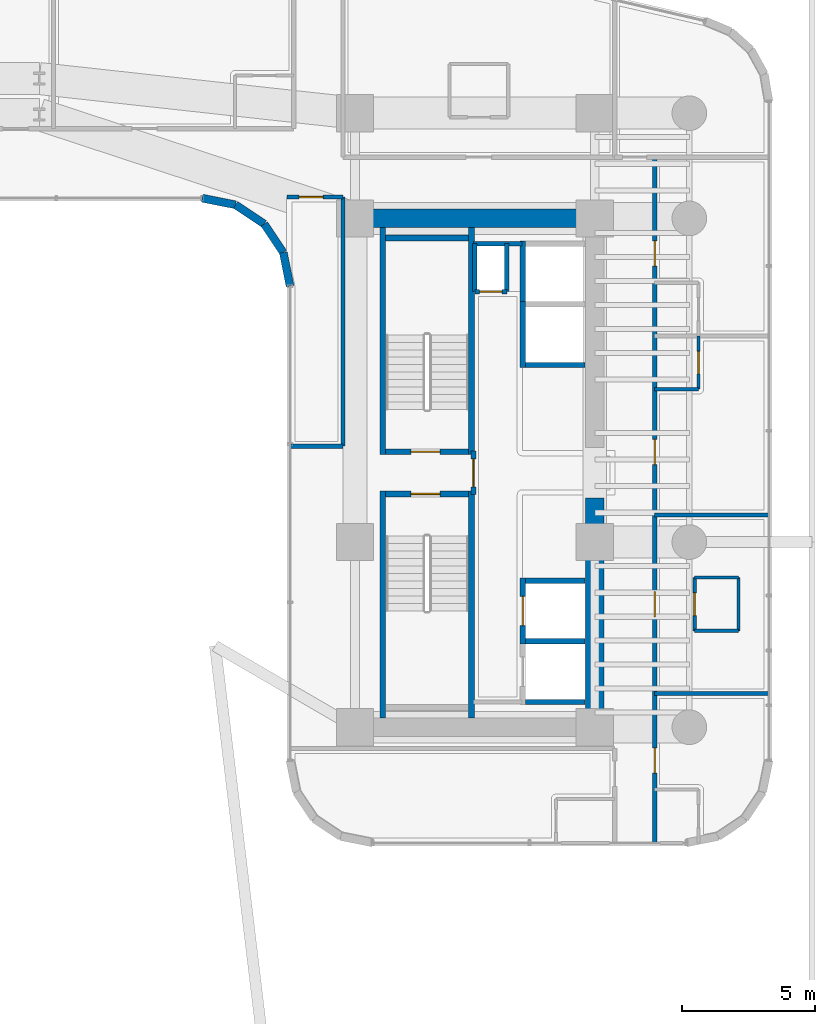
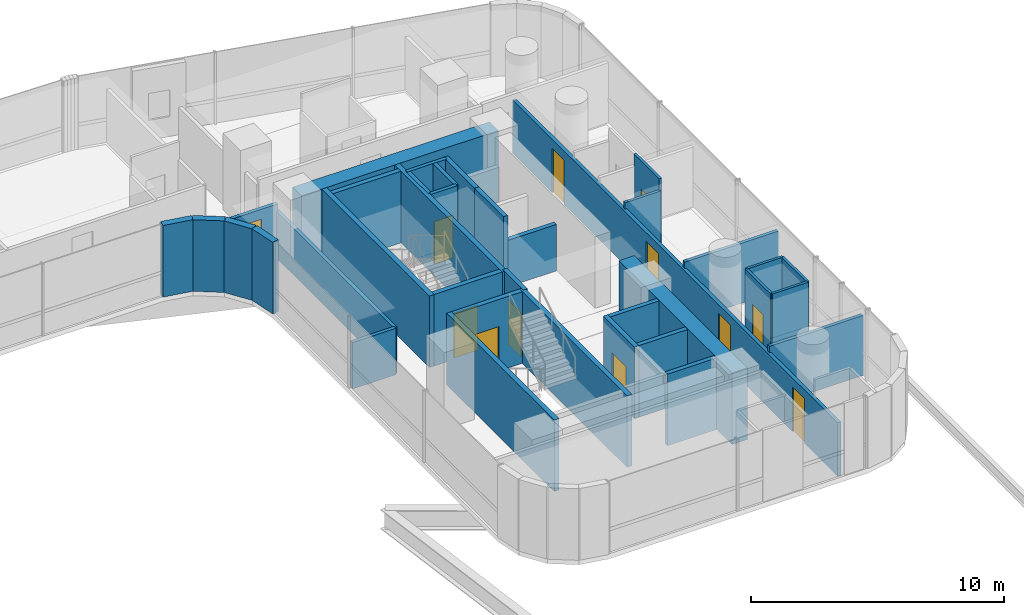
# One storey, part 41 of 50: 37 walls, 12 doors, 12 openings.
"""IFC4 building model written with IfcOpenShell, lengths in metres."""

import ifcopenshell
import ifcopenshell.guid

model = None  # the IFC model being written
_history = None  # IfcOwnerHistory: only IFC2X3 demands one
_inside = {}  # id of a spatial element -> (the spatial element, [elements in it])
_under = {}  # id of a project, library or spatial element -> (it, [spatial elements below it])
_declared = {}  # id of a project -> (the project, [libraries it declares])
_typed = {}  # id of a type object -> (the type object, [elements of that type])
_made_of = {}  # id of a material, layer set ... -> (it, [elements and type objects made of it])


def new_model(schema):
    """Start an empty IFC model of exactly this schema.

    Asked for "IFC4X3", IfcOpenShell would pick the latest addendum, in which some entities
    have other attributes; the version numbers below select the first issue.
    IFC2X3 requires an IfcOwnerHistory on every rooted entity: one is made here for all.
    """
    global model, _history
    if schema == "IFC4X3":
        model = ifcopenshell.file(schema_version=(4, 3, 0, 0))
    else:
        model = ifcopenshell.file(schema=schema)
    _inside.clear()
    _under.clear()
    _declared.clear()
    _typed.clear()
    _made_of.clear()
    _history = None
    if model.schema == "IFC2X3":
        org = make("IfcOrganization", Name="unknown")
        user = make(
            "IfcPersonAndOrganization",
            ThePerson=make("IfcPerson", FamilyName="unknown"),
            TheOrganization=org,
        )
        app = make(
            "IfcApplication",
            ApplicationDeveloper=org,
            Version="unknown",
            ApplicationFullName="unknown",
            ApplicationIdentifier="unknown",
        )
        _history = make(
            "IfcOwnerHistory",
            OwningUser=user,
            OwningApplication=app,
            ChangeAction="ADDED",
            CreationDate=0,
        )
    return model


def make(cls, **values):
    """One entity of the class cls with the attributes given. An attribute that is None is left unset."""
    return model.create_entity(
        cls, **{name: value for name, value in values.items() if value is not None}
    )


def rooted(cls, **values):
    """An entity with a GlobalId (a new one), such as an element, a storey or a relation."""
    return make(cls, GlobalId=ifcopenshell.guid.new(), OwnerHistory=_history, **values)


def si_unit(unit_type, name, prefix=None):
    """IfcSIUnit, for example si_unit("LENGTHUNIT", "METRE", prefix="MILLI")."""
    return make("IfcSIUnit", UnitType=unit_type, Prefix=prefix, Name=name)


def assignment(units):
    """IfcUnitAssignment: the units of a project."""
    return None if units is None else make("IfcUnitAssignment", Units=units)


def point(xyz):
    """IfcCartesianPoint."""
    return None if xyz is None else make("IfcCartesianPoint", Coordinates=xyz)


def direction(xyz):
    """IfcDirection."""
    return None if xyz is None else make("IfcDirection", DirectionRatios=xyz)


def frame(location, z_axis=None, x_axis=None):
    """IfcAxis2Placement3D, a coordinate frame: its origin and axes. An axis left out is left unset."""
    return make(
        "IfcAxis2Placement3D",
        Location=point(location),
        Axis=direction(z_axis),
        RefDirection=direction(x_axis),
    )


def frame_2d(location, x_axis=None):
    """IfcAxis2Placement2D, a coordinate frame in the plane: its origin and x axis."""
    return make(
        "IfcAxis2Placement2D", Location=point(location), RefDirection=direction(x_axis)
    )


def origin():
    """The frame at (0, 0, 0) with its axes left unset."""
    return frame((0.0, 0.0, 0.0))


def place(relative_to, where):
    """IfcLocalPlacement: puts the frame where relative to a parent placement (None: the world)."""
    return make(
        "IfcLocalPlacement", PlacementRelTo=relative_to, RelativePlacement=where
    )


def context(
    kind, dimensions, precision=None, world=None, true_north=None, identifier=None
):
    """IfcGeometricRepresentationContext, for example the 3D "Model" context."""
    return make(
        "IfcGeometricRepresentationContext",
        ContextIdentifier=identifier,
        ContextType=kind,
        CoordinateSpaceDimension=dimensions,
        Precision=precision,
        WorldCoordinateSystem=world,
        TrueNorth=true_north,
    )


def subcontext(parent, identifier, kind, view, scale=None):
    """IfcGeometricRepresentationSubContext, for example "Body" below "Model"."""
    return make(
        "IfcGeometricRepresentationSubContext",
        ContextIdentifier=identifier,
        ContextType=kind,
        ParentContext=parent,
        TargetScale=scale,
        TargetView=view,
    )


def project(units=None, contexts=None):
    """IfcProject with its units and contexts."""
    return rooted(
        "IfcProject",
        Name="project",
        RepresentationContexts=contexts,
        UnitsInContext=assignment(units),
    )


def spatial(cls, under=None, at=None, **own):
    """A site, building, storey or space (cls), placed at a placement, below another one or the project."""
    s = rooted(cls, ObjectPlacement=at, **own)
    if under is not None:
        _under.setdefault(under.id(), (under, []))[1].append(s)
    return s


def profile(cls, at=None, kind="AREA", **sizes):
    """A parametric profile (cls). Its sizes go by their IFC names, for example OverallWidth=200.0."""
    return make(cls, ProfileType=kind, Position=at, **sizes)


def rectangle(**sizes):
    """IfcRectangleProfileDef."""
    return profile("IfcRectangleProfileDef", **sizes)


def extrude(swept, where, along, depth):
    """IfcExtrudedAreaSolid: the profile swept, set in the frame where, extruded along a direction by depth."""
    return make(
        "IfcExtrudedAreaSolid",
        SweptArea=swept,
        Position=where,
        ExtrudedDirection=direction(along),
        Depth=depth,
    )


def shape(context_of_items, identifier, shape_type, items):
    """IfcShapeRepresentation: the items that make up one representation, for example the "Body"."""
    return make(
        "IfcShapeRepresentation",
        ContextOfItems=context_of_items,
        RepresentationIdentifier=identifier,
        RepresentationType=shape_type,
        Items=items,
    )


def material(Name=None, Category=None):
    """IfcMaterial."""
    return make("IfcMaterial", Name=Name, Category=Category)


def layer(
    of_material, thickness, ventilated=None, Name=None, Category=None, Priority=None
):
    """IfcMaterialLayer: one layer of a wall or slab, of a material (None: an air gap)."""
    return make(
        "IfcMaterialLayer",
        Material=of_material,
        LayerThickness=thickness,
        IsVentilated=ventilated,
        Name=Name,
        Category=Category,
        Priority=Priority,
    )


def layer_set(layers, Name=None):
    """IfcMaterialLayerSet."""
    return make("IfcMaterialLayerSet", MaterialLayers=layers, LayerSetName=Name)


def made_of(thing, what):
    """Note that an element or type object is made of a material, layer set ...; save() writes the relation."""
    if what is not None:
        _made_of.setdefault(what.id(), (what, []))[1].append(thing)
    return thing


def type_object(cls, material=None, **own):
    """A type object (cls), such as IfcWallType, which elements share."""
    return made_of(rooted(cls, **own), material)


def element(
    cls,
    number,
    at=None,
    inside=None,
    cuts=None,
    type_object=None,
    material=None,
    context=None,
    identifier="Body",
    shape_type=None,
    held_by="IfcProductDefinitionShape",
    body=None,
    shapes=None,
    **own,
):
    """One element of the class cls, such as IfcWall. Its Tag is "e" and its number.

    at: its placement. inside: the storey or other place that contains it. cuts: it is an
    opening in that element (IfcRelVoidsElement). A single representation is given by context,
    identifier, shape_type and body (its items); several are given by shapes. held_by: the class
    of the entity that holds the representations. save() writes the other relations.
    """
    e = rooted(cls, Tag="e%d" % number, ObjectPlacement=at, **own)
    if body is not None:
        shapes = [shape(context, identifier, shape_type, body)]
    if shapes is not None:
        e.Representation = make(held_by, Representations=shapes)
    if inside is not None:
        _inside.setdefault(inside.id(), (inside, []))[1].append(e)
    if cuts is not None:
        rooted(
            "IfcRelVoidsElement", RelatingBuildingElement=cuts, RelatedOpeningElement=e
        )
    if type_object is not None:
        _typed.setdefault(type_object.id(), (type_object, []))[1].append(e)
    return made_of(e, material)


def fill(opening, filler):
    """IfcRelFillsElement: the door or window that sits in an opening."""
    return rooted(
        "IfcRelFillsElement",
        RelatingOpeningElement=opening,
        RelatedBuildingElement=filler,
    )


def aggregate(whole, parts):
    """IfcRelAggregates: a whole, such as a stair, and the parts it consists of."""
    return rooted("IfcRelAggregates", RelatingObject=whole, RelatedObjects=parts)


def save(model, path):
    """Write the relations noted so far, then the file.

    IfcRelAggregates (storeys below a building ...), IfcRelContainedInSpatialStructure (elements
    in a storey), IfcRelDefinesByType, IfcRelAssociatesMaterial and IfcRelDeclares: one each for
    every whole, place, type object, material and project.
    """
    for whole, parts in _under.values():
        aggregate(whole, parts)
    for where, things in _inside.values():
        rooted(
            "IfcRelContainedInSpatialStructure",
            RelatedElements=things,
            RelatingStructure=where,
        )
    for kind, things in _typed.values():
        rooted("IfcRelDefinesByType", RelatedObjects=things, RelatingType=kind)
    for what, things in _made_of.values():
        rooted("IfcRelAssociatesMaterial", RelatedObjects=things, RelatingMaterial=what)
    for by, libraries in _declared.values():
        rooted("IfcRelDeclares", RelatingContext=by, RelatedDefinitions=libraries)
    model.write(path)


model = new_model("IFC4")

# Units and contexts
model_context = context("Model", 3, precision=1e-05, world=origin(), true_north=direction((0.0, 1.0)))
body_context = subcontext(model_context, "Body", "Model", "MODEL_VIEW")
ifc_project = project(units=[si_unit("LENGTHUNIT", "METRE"), si_unit("AREAUNIT", "SQUARE_METRE"), si_unit("VOLUMEUNIT", "CUBIC_METRE"), si_unit("PLANEANGLEUNIT", "RADIAN"), si_unit("MASSUNIT", "GRAM", prefix="KILO")], contexts=[model_context])

# Site, building, storey
site_placement = place(None, origin())
site = spatial("IfcSite", under=ifc_project, at=site_placement, CompositionType="ELEMENT")
building_placement = place(site_placement, origin())
building = spatial("IfcBuilding", under=site, at=building_placement, Name="Valdorenza Pilgrim Sanctuary Tower", CompositionType="ELEMENT")
storey_placement = place(building_placement, frame((0.0, 0.0, 26.0)))
storey = spatial("IfcBuildingStorey", under=building, at=storey_placement, Name="L05", CompositionType="ELEMENT", Elevation=26.0)

# Wall, opening, door
ifc_material_1 = material(Name="Acoustic twin-stud gypsum partition", Category="gypsum")
ifc_layer_1 = layer(ifc_material_1, 0.159912109375, Name="Acoustic twin-stud gypsum partition")
ifc_layer_set_1 = layer_set([ifc_layer_1], Name="Acoustic twin-stud gypsum partition")
wall_type_1 = type_object("IfcWallType", Name="WAL-COR-160", PredefinedType="PARTITIONING", material=ifc_layer_set_1)
wall_1_placement = place(storey_placement, frame((20.35009765625, 6.800048828125, 0.0), z_axis=(0.0, 0.0, 1.0), x_axis=(1.0, 0.0, 0.0)))
wall_1 = element("IfcWall", 1, at=wall_1_placement, inside=storey, type_object=wall_type_1, Name="L05 Core B Riser South Wall", PredefinedType="PARTITIONING", context=body_context, shape_type="SweptSolid", body=[
    extrude(rectangle(XDim=1.199951171875, YDim=0.159912109375, at=frame_2d((0.60009765625, 0.0))), origin(), (0.0, 0.0, 1.0), 3.4599609375),
])
opening_1_placement = place(wall_1_placement, frame((0.175048828125, 0.0, 0.0)))
opening_1 = element("IfcOpeningElement", 2, at=opening_1_placement, cuts=wall_1, Name="Opening DR-RS1", PredefinedType="OPENING", context=body_context, shape_type="SweptSolid", body=[
    extrude(rectangle(XDim=0.85009765625, YDim=2.050048828125, at=frame_2d((0.425048828125, 1.02490234375))), frame((0.0, 0.0947265625, 0.0), z_axis=(0.0, -1.0, 0.0), x_axis=(1.0, 0.0, 0.0)), (0.0, 0.0, 1.0), 0.189697265625),
])
ifc_material_2 = material(Name="Painted galvanized steel", Category="steel")
door_type_1 = type_object("IfcDoorType", Name="DR-RSR-850", OperationType="NOTDEFINED", PredefinedType="DOOR", material=ifc_material_2)
door_1_placement = place(opening_1_placement, origin())
door_1 = element("IfcDoor", 3, at=door_1_placement, inside=storey, type_object=door_type_1, Name="L05 Core B Electrical Riser Door", OperationType="SINGLE_SWING_LEFT", OverallHeight=2.050048828125, OverallWidth=0.85009765625, PredefinedType="DOOR", context=body_context, shape_type="SweptSolid", body=[
    extrude(rectangle(XDim=0.85009765625, YDim=2.050048828125, at=frame_2d((0.425048828125, 1.02490234375))), frame((0.0, 0.02490234375, 0.0), z_axis=(0.0, -1.0, 0.0), x_axis=(1.0, 0.0, 0.0)), (0.0, 0.0, 1.0), 0.050048828125),
])
fill(opening_1, door_1)

# Walls
for number, where, z_axis, x_axis, name in (
    (4, (21.550048828125, 6.800048828125, 0.0), (0.0, 0.0, 1.0), (0.0, 1.0, 0.0), "L05 Core B Riser East Wall"),
    (5, (20.35009765625, 6.800048828125, 0.0), (0.0, 0.0, 1.0), (0.0, 1.0, 0.0), "L05 Core B Riser West Wall"),
):
    element("IfcWall", number, at=place(storey_placement, frame(where, z_axis=z_axis, x_axis=x_axis)), inside=storey, type_object=wall_type_1, Name=name, PredefinedType="PARTITIONING", context=body_context, shape_type="SweptSolid", body=[
        extrude(rectangle(XDim=1.800048828125, YDim=0.159912109375, at=frame_2d((0.89990234375, 0.0))), origin(), (0.0, 0.0, 1.0), 3.4599609375),
    ])
wall_2_placement = place(storey_placement, frame((20.300048828125, 8.60009765625, 0.0), z_axis=(0.0, 0.0, 1.0), x_axis=(1.0, 0.0, 0.0)))
element("IfcWall", 6, at=wall_2_placement, inside=storey, type_object=wall_type_1, Name="L05 Core B Lift Hall North End Wall", PredefinedType="PARTITIONING", context=body_context, shape_type="SweptSolid", body=[
    extrude(rectangle(XDim=1.820068359375, YDim=0.159912109375, at=frame_2d((0.91015625, 0.0))), origin(), (0.0, 0.0, 1.0), 3.4599609375),
])

# Wall, openings, doors
wall_3_placement = place(storey_placement, frame((27.10009765625, -13.889892578125, 0.0), z_axis=(0.0, 0.0, 1.0), x_axis=(0.0, 1.0, 0.0)))
wall_3 = element("IfcWall", 7, at=wall_3_placement, inside=storey, type_object=wall_type_1, Name="L05 Wing B East Corridor Wall", PredefinedType="PARTITIONING", context=body_context, shape_type="SweptSolid", body=[
    extrude(rectangle(XDim=25.739990234375, YDim=0.159912109375, at=frame_2d((12.8701171875, 0.0))), origin(), (0.0, 0.0, 1.0), 2.5830078125),
])
opening_2_placement = place(wall_3_placement, frame((2.6201171875, 0.0, 0.0)))
opening_2 = element("IfcOpeningElement", 8, at=opening_2_placement, cuts=wall_3, Name="Opening DR-UN1", PredefinedType="OPENING", context=body_context, shape_type="SweptSolid", body=[
    extrude(rectangle(XDim=0.949951171875, YDim=2.14990234375, at=frame_2d((0.47509765625, 1.074951171875))), frame((0.0, 0.0947265625, 0.0), z_axis=(0.0, -1.0, 0.0), x_axis=(1.0, 0.0, 0.0)), (0.0, 0.0, 1.0), 0.189697265625),
])
opening_3_placement = place(wall_3_placement, frame((8.48388671875, 0.0, 0.0)))
opening_3 = element("IfcOpeningElement", 9, at=opening_3_placement, cuts=wall_3, Name="Opening DR-UN1", PredefinedType="OPENING", context=body_context, shape_type="SweptSolid", body=[
    extrude(rectangle(XDim=0.949951171875, YDim=2.14990234375, at=frame_2d((0.47509765625, 1.074951171875))), frame((0.0, 0.0947265625, 0.0), z_axis=(0.0, -1.0, 0.0), x_axis=(1.0, 0.0, 0.0)), (0.0, 0.0, 1.0), 0.189697265625),
])
opening_4_placement = place(wall_3_placement, frame((14.197021484375, 0.0, 0.0)))
opening_4 = element("IfcOpeningElement", 10, at=opening_4_placement, cuts=wall_3, Name="Opening DR-UN1", PredefinedType="OPENING", context=body_context, shape_type="SweptSolid", body=[
    extrude(rectangle(XDim=0.949951171875, YDim=2.14990234375, at=frame_2d((0.47509765625, 1.074951171875))), frame((0.0, 0.0947265625, 0.0), z_axis=(0.0, -1.0, 0.0), x_axis=(1.0, 0.0, 0.0)), (0.0, 0.0, 1.0), 0.189697265625),
])
opening_5_placement = place(wall_3_placement, frame((21.64794921875, 0.0, 0.0)))
opening_5 = element("IfcOpeningElement", 11, at=opening_5_placement, cuts=wall_3, Name="Opening DR-UN1", PredefinedType="OPENING", context=body_context, shape_type="SweptSolid", body=[
    extrude(rectangle(XDim=0.949951171875, YDim=2.14990234375, at=frame_2d((0.47509765625, 1.074951171875))), frame((0.0, 0.0947265625, 0.0), z_axis=(0.0, -1.0, 0.0), x_axis=(1.0, 0.0, 0.0)), (0.0, 0.0, 1.0), 0.189697265625),
])
ifc_material_3 = material(Name="Solid-core European oak timber", Category="wood")
door_type_2 = type_object("IfcDoorType", Name="DR-UNIT-950", OperationType="NOTDEFINED", PredefinedType="DOOR", material=ifc_material_3)
door_2_placement = place(opening_2_placement, origin())
door_2 = element("IfcDoor", 12, at=door_2_placement, inside=storey, type_object=door_type_2, Name="L05 East Sanctuary Guest Room L05-EG1 Entrance Door", OperationType="SINGLE_SWING_RIGHT", OverallHeight=2.14990234375, OverallWidth=0.949951171875, PredefinedType="DOOR", context=body_context, shape_type="SweptSolid", body=[
    extrude(rectangle(XDim=0.949951171875, YDim=2.14990234375, at=frame_2d((0.47509765625, 1.074951171875))), frame((0.0, 0.02490234375, 0.0), z_axis=(0.0, -1.0, 0.0), x_axis=(1.0, 0.0, 0.0)), (0.0, 0.0, 1.0), 0.050048828125),
])
fill(opening_2, door_2)
door_3_placement = place(opening_3_placement, origin())
door_3 = element("IfcDoor", 13, at=door_3_placement, inside=storey, type_object=door_type_2, Name="L05 East Sanctuary Guest Room L05-EG2 Entrance Door", OperationType="SINGLE_SWING_RIGHT", OverallHeight=2.14990234375, OverallWidth=0.949951171875, PredefinedType="DOOR", context=body_context, shape_type="SweptSolid", body=[
    extrude(rectangle(XDim=0.949951171875, YDim=2.14990234375, at=frame_2d((0.47509765625, 1.074951171875))), frame((0.0, 0.02490234375, 0.0), z_axis=(0.0, -1.0, 0.0), x_axis=(1.0, 0.0, 0.0)), (0.0, 0.0, 1.0), 0.050048828125),
])
fill(opening_3, door_3)
door_4_placement = place(opening_4_placement, origin())
door_4 = element("IfcDoor", 14, at=door_4_placement, inside=storey, type_object=door_type_2, Name="L05 East Sanctuary Guest Room L05-EG3 Entrance Door", OperationType="SINGLE_SWING_RIGHT", OverallHeight=2.14990234375, OverallWidth=0.949951171875, PredefinedType="DOOR", context=body_context, shape_type="SweptSolid", body=[
    extrude(rectangle(XDim=0.949951171875, YDim=2.14990234375, at=frame_2d((0.47509765625, 1.074951171875))), frame((0.0, 0.02490234375, 0.0), z_axis=(0.0, -1.0, 0.0), x_axis=(1.0, 0.0, 0.0)), (0.0, 0.0, 1.0), 0.050048828125),
])
fill(opening_4, door_4)
door_5_placement = place(opening_5_placement, origin())
door_5 = element("IfcDoor", 15, at=door_5_placement, inside=storey, type_object=door_type_2, Name="L05 East Sanctuary Guest Room L05-EG4 Entrance Door", OperationType="SINGLE_SWING_RIGHT", OverallHeight=2.14990234375, OverallWidth=0.949951171875, PredefinedType="DOOR", context=body_context, shape_type="SweptSolid", body=[
    extrude(rectangle(XDim=0.949951171875, YDim=2.14990234375, at=frame_2d((0.47509765625, 1.074951171875))), frame((0.0, 0.02490234375, 0.0), z_axis=(0.0, -1.0, 0.0), x_axis=(1.0, 0.0, 0.0)), (0.0, 0.0, 1.0), 0.050048828125),
])
fill(opening_5, door_5)

# Wall, opening, door
wall_4_placement = place(storey_placement, frame((13.300048828125, 10.35009765625, 0.0), z_axis=(0.0, 0.0, 1.0), x_axis=(1.0, 0.0, 0.0)))
wall_4 = element("IfcWall", 16, at=wall_4_placement, inside=storey, type_object=wall_type_1, Name="L05 Courtyard Overlook North Wall", PredefinedType="PARTITIONING", context=body_context, shape_type="SweptSolid", body=[
    extrude(rectangle(XDim=2.099853515625, YDim=0.159912109375, at=frame_2d((1.0498046875, 0.0))), origin(), (0.0, 0.0, 1.0), 2.5830078125),
])
opening_6_placement = place(wall_4_placement, frame((0.449951171875, 0.0, 0.0)))
opening_6 = element("IfcOpeningElement", 17, at=opening_6_placement, cuts=wall_4, Name="Opening DR-RM1", PredefinedType="OPENING", context=body_context, shape_type="SweptSolid", body=[
    extrude(rectangle(XDim=0.89990234375, YDim=2.10009765625, at=frame_2d((0.449951171875, 1.050048828125))), frame((0.0, 0.0947265625, 0.0), z_axis=(0.0, -1.0, 0.0), x_axis=(1.0, 0.0, 0.0)), (0.0, 0.0, 1.0), 0.189697265625),
])
door_type_3 = type_object("IfcDoorType", Name="DR-ROOM-900", OperationType="NOTDEFINED", PredefinedType="DOOR", material=ifc_material_3)
door_6_placement = place(opening_6_placement, origin())
door_6 = element("IfcDoor", 18, at=door_6_placement, inside=storey, type_object=door_type_3, Name="L05 Courtyard Overlook Salon Door", OperationType="SINGLE_SWING_RIGHT", OverallHeight=2.10009765625, OverallWidth=0.89990234375, PredefinedType="DOOR", context=body_context, shape_type="SweptSolid", body=[
    extrude(rectangle(XDim=0.89990234375, YDim=2.10009765625, at=frame_2d((0.449951171875, 1.050048828125))), frame((0.0, 0.02490234375, 0.0), z_axis=(0.0, -1.0, 0.0), x_axis=(1.0, 0.0, 0.0)), (0.0, 0.0, 1.0), 0.050048828125),
])
fill(opening_6, door_6)

# Walls
wall_5_placement = place(storey_placement, frame((15.39990234375, 1.0, 0.0), z_axis=(0.0, 0.0, 1.0), x_axis=(0.0, 1.0, 0.0)))
element("IfcWall", 19, at=wall_5_placement, inside=storey, type_object=wall_type_1, Name="L05 Courtyard Overlook East Wall", PredefinedType="PARTITIONING", context=body_context, shape_type="SweptSolid", body=[
    extrude(rectangle(XDim=9.35009765625, YDim=0.159912109375, at=frame_2d((4.675048828125, 0.0))), origin(), (0.0, 0.0, 1.0), 2.2451171875),
])
wall_6_placement = place(storey_placement, frame((13.409912109375, 1.0, 0.0), z_axis=(0.0, 0.0, 1.0), x_axis=(1.0, 0.0, 0.0)))
element("IfcWall", 20, at=wall_6_placement, inside=storey, type_object=wall_type_1, Name="L05 Courtyard Overlook South Wall", PredefinedType="PARTITIONING", context=body_context, shape_type="SweptSolid", body=[
    extrude(rectangle(XDim=1.989990234375, YDim=0.159912109375, at=frame_2d((0.9951171875, 0.0))), origin(), (0.0, 0.0, 1.0), 2.2451171875),
])
ifc_material_4 = material(Name="Concrete C60/75", Category="concrete")
ifc_layer_2 = layer(ifc_material_4, 0.699951171875, Name="Concrete C60/75")
ifc_layer_set_2 = layer_set([ifc_layer_2], Name="Concrete C60/75")
wall_type_2 = type_object("IfcWallType", Name="WAL-COR-700", PredefinedType="SHEAR", material=ifc_layer_set_2)
wall_7_placement = place(storey_placement, frame((24.85009765625, -9.89990234375, 0.0), z_axis=(0.0, 0.0, 1.0), x_axis=(0.0, 1.0, 0.0)))
element("IfcWall", 21, at=wall_7_placement, inside=storey, type_object=wall_type_2, Name="L05 Split Core B Shear Wall ES", PredefinedType="SHEAR", context=body_context, shape_type="SweptSolid", body=[
    extrude(rectangle(XDim=8.949951171875, YDim=0.699951171875, at=frame_2d((4.47509765625, 0.0))), origin(), (0.0, 0.0, 1.0), 3.4599609375),
])
wall_8_placement = place(storey_placement, frame((15.85009765625, 9.550048828125, 0.0), z_axis=(0.0, 0.0, 1.0), x_axis=(1.0, 0.0, 0.0)))
element("IfcWall", 22, at=wall_8_placement, inside=storey, type_object=wall_type_2, Name="L05 Split Core B Shear Wall N", PredefinedType="SHEAR", context=body_context, shape_type="SweptSolid", body=[
    extrude(rectangle(XDim=9.0, YDim=0.699951171875, at=frame_2d((4.5, 0.0))), origin(), (0.0, 0.0, 1.0), 3.4599609375),
])
ifc_material_5 = material(Name="Honed travertine limestone", Category="masonry")
ifc_layer_3 = layer(ifc_material_5, 0.300048828125, Name="Honed travertine limestone")
ifc_layer_set_3 = layer_set([ifc_layer_3], Name="Honed travertine limestone")
wall_type_3 = type_object("IfcWallType", Name="WAL-EXT-300", PredefinedType="SOLIDWALL", material=ifc_layer_set_3)
wall_9_placement = place(storey_placement, frame((13.409912109375, 7.0107421875, 0.0), z_axis=(0.0, 0.0, 1.0), x_axis=(-0.195090163074, 0.980785312019, 0.0)))
element("IfcWall", 23, at=wall_9_placement, inside=storey, type_object=wall_type_3, Name="L05 Rounded Wind-Corner Stone Pier 32", PredefinedType="SOLIDWALL", context=body_context, shape_type="SweptSolid", body=[
    extrude(rectangle(XDim=1.281494140625, YDim=0.300048828125, at=frame_2d((0.640625, 0.0))), origin(), (0.0, 0.0, 1.0), 3.4599609375),
])
for number, where, z_axis, x_axis, name in (
    (24, (13.159912109375, 8.267578125, 0.0), (0.0, 0.0, 1.0), (-0.555615398575, 0.831439431869, 0.0), "L05 Rounded Wind-Corner Stone Pier 33"),
    (25, (12.44189453125, 9.342041015625, 0.0), (0.0, 0.0, 1.0), (-0.831439431869, 0.555615398575, 0.0), "L05 Rounded Wind-Corner Stone Pier 34"),
):
    element("IfcWall", number, at=place(storey_placement, frame(where, z_axis=z_axis, x_axis=x_axis)), inside=storey, type_object=wall_type_3, Name=name, PredefinedType="SOLIDWALL", context=body_context, shape_type="SweptSolid", body=[
        extrude(rectangle(XDim=1.292236328125, YDim=0.300048828125, at=frame_2d((0.64599609375, 0.0))), origin(), (0.0, 0.0, 1.0), 3.4599609375),
    ])
wall_10_placement = place(storey_placement, frame((11.367431640625, 10.06005859375, 0.0), z_axis=(0.0, 0.0, 1.0), x_axis=(-0.980778058848, 0.195126623715, 0.0)))
element("IfcWall", 26, at=wall_10_placement, inside=storey, type_object=wall_type_3, Name="L05 Rounded Wind-Corner Stone Pier 35", PredefinedType="SOLIDWALL", context=body_context, shape_type="SweptSolid", body=[
    extrude(rectangle(XDim=1.28125, YDim=0.300048828125, at=frame_2d((0.640625, 0.0))), origin(), (0.0, 0.0, 1.0), 3.4599609375),
])

# Wall, opening, door
ifc_material_6 = material(Name="Gypsum shaftwall partition", Category="gypsum")
ifc_layer_4 = layer(ifc_material_6, 0.199951171875, Name="Gypsum shaftwall partition")
ifc_layer_set_4 = layer_set([ifc_layer_4], Name="Gypsum shaftwall partition")
wall_type_4 = type_object("IfcWallType", Name="WAL-FFL-200", PredefinedType="PARTITIONING", material=ifc_layer_set_4)
wall_11_placement = place(storey_placement, frame((20.300048828125, -0.820068359375, 0.0), z_axis=(0.0, 0.0, 1.0), x_axis=(0.0, 1.0, 0.0)))
wall_11 = element("IfcWall", 27, at=wall_11_placement, inside=storey, type_object=wall_type_4, Name="L05 Core B Firefighting Lobby East Wall", PredefinedType="PARTITIONING", context=body_context, shape_type="SweptSolid", body=[
    extrude(rectangle(XDim=1.64013671875, YDim=0.199951171875, at=frame_2d((0.820068359375, 0.0))), origin(), (0.0, 0.0, 1.0), 3.4599609375),
])
opening_7_placement = place(wall_11_placement, frame((0.294921875, 0.0, 0.0)))
opening_7 = element("IfcOpeningElement", 28, at=opening_7_placement, cuts=wall_11, Name="Opening DR-FL1", PredefinedType="OPENING", context=body_context, shape_type="SweptSolid", body=[
    extrude(rectangle(XDim=1.050048828125, YDim=2.14990234375, at=frame_2d((0.52490234375, 1.074951171875))), frame((0.0, 0.11474609375, 0.0), z_axis=(0.0, -1.0, 0.0), x_axis=(1.0, 0.0, 0.0)), (0.0, 0.0, 1.0), 0.229736328125),
])
door_type_4 = type_object("IfcDoorType", Name="DR-FFL-1050", OperationType="NOTDEFINED", PredefinedType="DOOR", material=ifc_material_2)
door_7_placement = place(opening_7_placement, origin())
door_7 = element("IfcDoor", 29, at=door_7_placement, inside=storey, type_object=door_type_4, Name="L05 Core B Firefighting Lobby Door", OperationType="SINGLE_SWING_RIGHT", OverallHeight=2.14990234375, OverallWidth=1.050048828125, PredefinedType="DOOR", context=body_context, shape_type="SweptSolid", body=[
    extrude(rectangle(XDim=1.050048828125, YDim=2.14990234375, at=frame_2d((0.52490234375, 1.074951171875))), frame((0.0, 0.02490234375, 0.0), z_axis=(0.0, -1.0, 0.0), x_axis=(1.0, 0.0, 0.0)), (0.0, 0.0, 1.0), 0.050048828125),
])
fill(opening_7, door_7)

# Walls
ifc_material_7 = material(Name="Moisture-resistant gypsum partition", Category="gypsum")
ifc_layer_5 = layer(ifc_material_7, 0.1201171875, Name="Moisture-resistant gypsum partition")
ifc_layer_set_5 = layer_set([ifc_layer_5], Name="Moisture-resistant gypsum partition")
wall_type_5 = type_object("IfcWallType", Name="WAL-INT-120", PredefinedType="PARTITIONING", material=ifc_layer_set_5)
for number, where, z_axis, x_axis, name in (
    (30, (28.60009765625, -5.930908203125, 0.0), (0.0, 0.0, 1.0), (1.0, 0.0, 0.0), "L05 East Sanctuary Guest Room L05-EG2 En-suite South Wall"),
    (31, (28.60009765625, -3.930908203125, 0.0), (0.0, 0.0, 1.0), (1.0, 0.0, 0.0), "L05 East Sanctuary Guest Room L05-EG2 En-suite North Wall"),
):
    element("IfcWall", number, at=place(storey_placement, frame(where, z_axis=z_axis, x_axis=x_axis)), inside=storey, type_object=wall_type_5, Name=name, PredefinedType="PARTITIONING", context=body_context, shape_type="SweptSolid", body=[
        extrude(rectangle(XDim=1.64990234375, YDim=0.1201171875, at=frame_2d((0.824951171875, 0.0))), origin(), (0.0, 0.0, 1.0), 3.4599609375),
    ])
wall_12_placement = place(storey_placement, frame((30.25, -5.930908203125, 0.0), z_axis=(0.0, 0.0, 1.0), x_axis=(0.0, 1.0, 0.0)))
element("IfcWall", 32, at=wall_12_placement, inside=storey, type_object=wall_type_5, Name="L05 East Sanctuary Guest Room L05-EG2 En-suite Back Wall", PredefinedType="PARTITIONING", context=body_context, shape_type="SweptSolid", body=[
    extrude(rectangle(XDim=2.0, YDim=0.1201171875, at=frame_2d((1.0, 0.0))), origin(), (0.0, 0.0, 1.0), 3.4599609375),
])

# Wall, opening, door
wall_13_placement = place(storey_placement, frame((28.60009765625, -5.930908203125, 0.0), z_axis=(0.0, 0.0, 1.0), x_axis=(0.0, 1.0, 0.0)))
wall_13 = element("IfcWall", 33, at=wall_13_placement, inside=storey, type_object=wall_type_5, Name="L05 East Sanctuary Guest Room L05-EG2 En-suite Door Wall", PredefinedType="PARTITIONING", context=body_context, shape_type="SweptSolid", body=[
    extrude(rectangle(XDim=2.0, YDim=0.1201171875, at=frame_2d((1.0, 0.0))), origin(), (0.0, 0.0, 1.0), 3.4599609375),
])
opening_8_placement = place(wall_13_placement, frame((0.574951171875, 0.0, 0.0)))
opening_8 = element("IfcOpeningElement", 34, at=opening_8_placement, cuts=wall_13, Name="Opening DR-WC1", PredefinedType="OPENING", context=body_context, shape_type="SweptSolid", body=[
    extrude(rectangle(XDim=0.85009765625, YDim=2.10009765625, at=frame_2d((0.425048828125, 1.050048828125))), frame((0.0, 0.074951171875, 0.0), z_axis=(0.0, -1.0, 0.0), x_axis=(1.0, 0.0, 0.0)), (0.0, 0.0, 1.0), 0.14990234375),
])
ifc_material_8 = material(Name="Moisture-resistant lacquered timber", Category="wood")
door_type_5 = type_object("IfcDoorType", Name="DR-BATH-850", OperationType="NOTDEFINED", PredefinedType="DOOR", material=ifc_material_8)
door_8_placement = place(opening_8_placement, origin())
door_8 = element("IfcDoor", 35, at=door_8_placement, inside=storey, type_object=door_type_5, Name="L05 East Sanctuary Guest Room L05-EG2 En-suite Bathroom Door", OperationType="SINGLE_SWING_LEFT", OverallHeight=2.10009765625, OverallWidth=0.85009765625, PredefinedType="DOOR", context=body_context, shape_type="SweptSolid", body=[
    extrude(rectangle(XDim=0.85009765625, YDim=2.10009765625, at=frame_2d((0.425048828125, 1.050048828125))), frame((0.0, 0.02490234375, 0.0), z_axis=(0.0, -1.0, 0.0), x_axis=(1.0, 0.0, 0.0)), (0.0, 0.0, 1.0), 0.050048828125),
])
fill(opening_8, door_8)

# Wall
wall_14_placement = place(storey_placement, frame((27.10009765625, 3.137939453125, 0.0), z_axis=(0.0, 0.0, 1.0), x_axis=(1.0, 0.0, 0.0)))
element("IfcWall", 36, at=wall_14_placement, inside=storey, type_object=wall_type_5, Name="L05 East Sanctuary Guest Room L05-EG3 En-suite South Wall", PredefinedType="PARTITIONING", context=body_context, shape_type="SweptSolid", body=[
    extrude(rectangle(XDim=1.64990234375, YDim=0.1201171875, at=frame_2d((0.824951171875, 0.0))), origin(), (0.0, 0.0, 1.0), 2.89599609375),
])

# Wall, opening, door
wall_15_placement = place(storey_placement, frame((28.75, 3.137939453125, 0.0), z_axis=(0.0, 0.0, 1.0), x_axis=(0.0, 1.0, 0.0)))
wall_15 = element("IfcWall", 37, at=wall_15_placement, inside=storey, type_object=wall_type_5, Name="L05 East Sanctuary Guest Room L05-EG3 En-suite Door Wall", PredefinedType="PARTITIONING", context=body_context, shape_type="SweptSolid", body=[
    extrude(rectangle(XDim=2.0, YDim=0.1201171875, at=frame_2d((1.0, 0.0))), origin(), (0.0, 0.0, 1.0), 3.4599609375),
])
opening_9_placement = place(wall_15_placement, frame((0.574951171875, 0.0, 0.0)))
opening_9 = element("IfcOpeningElement", 38, at=opening_9_placement, cuts=wall_15, Name="Opening DR-WC1", PredefinedType="OPENING", context=body_context, shape_type="SweptSolid", body=[
    extrude(rectangle(XDim=0.85009765625, YDim=2.10009765625, at=frame_2d((0.425048828125, 1.050048828125))), frame((0.0, 0.074951171875, 0.0), z_axis=(0.0, -1.0, 0.0), x_axis=(1.0, 0.0, 0.0)), (0.0, 0.0, 1.0), 0.14990234375),
])
door_9_placement = place(opening_9_placement, origin())
door_9 = element("IfcDoor", 39, at=door_9_placement, inside=storey, type_object=door_type_5, Name="L05 East Sanctuary Guest Room L05-EG3 En-suite Bathroom Door", OperationType="SINGLE_SWING_LEFT", OverallHeight=2.10009765625, OverallWidth=0.85009765625, PredefinedType="DOOR", context=body_context, shape_type="SweptSolid", body=[
    extrude(rectangle(XDim=0.85009765625, YDim=2.10009765625, at=frame_2d((0.425048828125, 1.050048828125))), frame((0.0, 0.02490234375, 0.0), z_axis=(0.0, -1.0, 0.0), x_axis=(1.0, 0.0, 0.0)), (0.0, 0.0, 1.0), 0.050048828125),
])
fill(opening_9, door_9)

# Walls
ifc_material_9 = material(Name="Autoclaved aerated concrete blockwork", Category="masonry")
ifc_layer_6 = layer(ifc_material_9, 0.199951171875, Name="Autoclaved aerated concrete blockwork")
ifc_layer_set_6 = layer_set([ifc_layer_6], Name="Autoclaved aerated concrete blockwork")
wall_type_6 = type_object("IfcWallType", Name="WAL-SHF-200", PredefinedType="MOVABLE", material=ifc_layer_set_6)
for number, where, z_axis, x_axis, name in (
    (40, (22.25, -8.60009765625, 0.0), (0.0, 0.0, 1.0), (1.0, 0.0, 0.0), "L05 Lift PL-03 Hoistway Wall South"),
    (41, (22.25, -6.324951171875, 0.0), (0.0, 0.0, 1.0), (1.0, 0.0, 0.0), "L05 Lift PL-03 Hoistway Wall North"),
):
    element("IfcWall", number, at=place(storey_placement, frame(where, z_axis=z_axis, x_axis=x_axis)), inside=storey, type_object=wall_type_6, Name=name, PredefinedType="MOVABLE", context=body_context, shape_type="SweptSolid", body=[
        extrude(rectangle(XDim=2.22998046875, YDim=0.199951171875, at=frame_2d((1.114990234375, 0.0))), origin(), (0.0, 0.0, 1.0), 3.4599609375),
    ])

# Wall, opening, door
wall_16_placement = place(storey_placement, frame((22.14990234375, -6.425048828125, 0.0), z_axis=(0.0, 0.0, 1.0), x_axis=(0.0, 1.0, 0.0)))
wall_16 = element("IfcWall", 42, at=wall_16_placement, inside=storey, type_object=wall_type_6, Name="L05 Lift PL-04 Hoistway Wall West", PredefinedType="MOVABLE", context=body_context, shape_type="SweptSolid", body=[
    extrude(rectangle(XDim=2.47509765625, YDim=0.199951171875, at=frame_2d((1.237548828125, 0.0))), origin(), (0.0, 0.0, 1.0), 3.4599609375),
])
opening_10_placement = place(wall_16_placement, frame((0.6875, 0.0, 0.0)))
opening_10 = element("IfcOpeningElement", 43, at=opening_10_placement, cuts=wall_16, Name="Opening LD-01", PredefinedType="OPENING", context=body_context, shape_type="SweptSolid", body=[
    extrude(rectangle(XDim=1.10009765625, YDim=2.10009765625, at=frame_2d((0.550048828125, 1.050048828125))), frame((0.0, 0.11474609375, 0.0), z_axis=(0.0, -1.0, 0.0), x_axis=(1.0, 0.0, 0.0)), (0.0, 0.0, 1.0), 0.229736328125),
])
ifc_material_10 = material(Name="Brushed stainless steel Grade 316", Category="steel")
door_type_6 = type_object("IfcDoorType", Name="DR-LFT-1100", OperationType="DOUBLE_DOOR_SLIDING", PredefinedType="DOOR", material=ifc_material_10)
door_10_placement = place(opening_10_placement, origin())
door_10 = element("IfcDoor", 44, at=door_10_placement, inside=storey, type_object=door_type_6, Name="L05 Lift PL-04 Sliding Landing Door", OperationType="DOUBLE_DOOR_SLIDING", OverallHeight=2.10009765625, OverallWidth=1.10009765625, PredefinedType="DOOR", context=body_context, shape_type="SweptSolid", body=[
    extrude(rectangle(XDim=1.10009765625, YDim=2.10009765625, at=frame_2d((0.550048828125, 1.050048828125))), frame((0.0, 0.02490234375, 0.0), z_axis=(0.0, -1.0, 0.0), x_axis=(1.0, 0.0, 0.0)), (0.0, 0.0, 1.0), 0.050048828125),
])
fill(opening_10, door_10)

# Walls
wall_17_placement = place(storey_placement, frame((22.25, -4.050048828125, 0.0), z_axis=(0.0, 0.0, 1.0), x_axis=(1.0, 0.0, 0.0)))
element("IfcWall", 45, at=wall_17_placement, inside=storey, type_object=wall_type_6, Name="L05 Lift PL-04 Hoistway Wall North", PredefinedType="MOVABLE", context=body_context, shape_type="SweptSolid", body=[
    extrude(rectangle(XDim=2.22998046875, YDim=0.199951171875, at=frame_2d((1.114990234375, 0.0))), origin(), (0.0, 0.0, 1.0), 3.4599609375),
])
wall_18_placement = place(storey_placement, frame((22.14990234375, 3.949951171875, 0.0), z_axis=(0.0, 0.0, 1.0), x_axis=(0.0, 1.0, 0.0)))
element("IfcWall", 46, at=wall_18_placement, inside=storey, type_object=wall_type_6, Name="L05 Lift PL-07 Hoistway Wall West", PredefinedType="MOVABLE", context=body_context, shape_type="SweptSolid", body=[
    extrude(rectangle(XDim=2.47509765625, YDim=0.199951171875, at=frame_2d((1.237548828125, 0.0))), origin(), (0.0, 0.0, 1.0), 3.4599609375),
])
wall_19_placement = place(storey_placement, frame((22.25, 4.050048828125, 0.0), z_axis=(0.0, 0.0, 1.0), x_axis=(1.0, 0.0, 0.0)))
element("IfcWall", 47, at=wall_19_placement, inside=storey, type_object=wall_type_6, Name="L05 Lift PL-07 Hoistway Wall South", PredefinedType="MOVABLE", context=body_context, shape_type="SweptSolid", body=[
    extrude(rectangle(XDim=2.22998046875, YDim=0.199951171875, at=frame_2d((1.114990234375, 0.0))), origin(), (0.0, 0.0, 1.0), 2.2451171875),
])
wall_20_placement = place(storey_placement, frame((22.14990234375, 6.22509765625, 0.0), z_axis=(0.0, 0.0, 1.0), x_axis=(0.0, 1.0, 0.0)))
element("IfcWall", 48, at=wall_20_placement, inside=storey, type_object=wall_type_6, Name="L05 Lift PL-08 Hoistway Wall West", PredefinedType="MOVABLE", context=body_context, shape_type="SweptSolid", body=[
    extrude(rectangle(XDim=2.474853515625, YDim=0.199951171875, at=frame_2d((1.2373046875, 0.0))), origin(), (0.0, 0.0, 1.0), 3.4599609375),
])
ifc_material_11 = material(Name="Concrete C40/50", Category="concrete")
ifc_layer_7 = layer(ifc_material_11, 0.219970703125, Name="Concrete C40/50")
ifc_layer_set_7 = layer_set([ifc_layer_7], Name="Concrete C40/50")
wall_type_7 = type_object("IfcWallType", Name="WAL-STR-SHF-220", PredefinedType="SHEAR", material=ifc_layer_set_7)
for number, where, z_axis, x_axis, name in (
    (49, (16.889892578125, 0.679931640625, 0.0), (0.0, 0.0, 1.0), (0.0, 1.0, 0.0), "L05 ST-B1 Structural Stairwell Wall W"),
    (50, (20.219970703125, 0.679931640625, 0.0), (0.0, 0.0, 1.0), (0.0, 1.0, 0.0), "L05 ST-B1 Structural Stairwell Wall E"),
):
    element("IfcWall", number, at=place(storey_placement, frame(where, z_axis=z_axis, x_axis=x_axis)), inside=storey, type_object=wall_type_7, Name=name, PredefinedType="SHEAR", context=body_context, shape_type="SweptSolid", body=[
        extrude(rectangle(XDim=8.52001953125, YDim=0.219970703125, at=frame_2d((4.260009765625, 0.0))), origin(), (0.0, 0.0, 1.0), 3.4599609375),
    ])

# Wall, opening, door
wall_21_placement = place(storey_placement, frame((17.0, 0.7900390625, 0.0), z_axis=(0.0, 0.0, 1.0), x_axis=(1.0, 0.0, 0.0)))
wall_21 = element("IfcWall", 51, at=wall_21_placement, inside=storey, type_object=wall_type_7, Name="L05 ST-B1 Structural Stairwell Wall S", PredefinedType="SHEAR", context=body_context, shape_type="SweptSolid", body=[
    extrude(rectangle(XDim=3.110107421875, YDim=0.219970703125, at=frame_2d((1.55517578125, 0.0))), origin(), (0.0, 0.0, 1.0), 3.4599609375),
])
opening_11_placement = place(wall_21_placement, frame((0.949951171875, 0.0, 0.0)))
opening_11 = element("IfcOpeningElement", 52, at=opening_11_placement, cuts=wall_21, Name="Opening DR-ST1", PredefinedType="OPENING", context=body_context, shape_type="SweptSolid", body=[
    extrude(rectangle(XDim=1.10009765625, YDim=2.14990234375, at=frame_2d((0.550048828125, 1.074951171875))), frame((0.0, 0.125, 0.0), z_axis=(0.0, -1.0, 0.0), x_axis=(1.0, 0.0, 0.0)), (0.0, 0.0, 1.0), 0.249755859375),
])
door_type_7 = type_object("IfcDoorType", Name="DR-STAIR-1100", OperationType="NOTDEFINED", PredefinedType="DOOR", material=ifc_material_2)
door_11_placement = place(opening_11_placement, frame((1.10009765625, 0.0, 0.0), z_axis=(0.0, 0.0, 1.0), x_axis=(-1.0, 0.0, 0.0)))
door_11 = element("IfcDoor", 53, at=door_11_placement, inside=storey, type_object=door_type_7, Name="L05 Exit Stair ST-B1 Door", OperationType="SINGLE_SWING_LEFT", OverallHeight=2.14990234375, OverallWidth=1.10009765625, PredefinedType="DOOR", context=body_context, shape_type="SweptSolid", body=[
    extrude(rectangle(XDim=1.10009765625, YDim=2.14990234375, at=frame_2d((0.550048828125, 1.074951171875))), frame((0.0, 0.02490234375, 0.0), z_axis=(0.0, -1.0, 0.0), x_axis=(1.0, 0.0, 0.0)), (0.0, 0.0, 1.0), 0.050048828125),
])
fill(opening_11, door_11)

# Walls
wall_22_placement = place(storey_placement, frame((17.0, 8.81005859375, 0.0), z_axis=(0.0, 0.0, 1.0), x_axis=(1.0, 0.0, 0.0)))
element("IfcWall", 54, at=wall_22_placement, inside=storey, type_object=wall_type_7, Name="L05 ST-B1 Structural Stairwell Wall N", PredefinedType="SHEAR", context=body_context, shape_type="SweptSolid", body=[
    extrude(rectangle(XDim=3.110107421875, YDim=0.219970703125, at=frame_2d((1.55517578125, 0.0))), origin(), (0.0, 0.0, 1.0), 3.4599609375),
])
for number, where, z_axis, x_axis, name in (
    (55, (16.889892578125, -9.199951171875, 0.0), (0.0, 0.0, 1.0), (0.0, 1.0, 0.0), "L05 ST-B2 Structural Stairwell Wall W"),
    (56, (20.219970703125, -9.199951171875, 0.0), (0.0, 0.0, 1.0), (0.0, 1.0, 0.0), "L05 ST-B2 Structural Stairwell Wall E"),
):
    element("IfcWall", number, at=place(storey_placement, frame(where, z_axis=z_axis, x_axis=x_axis)), inside=storey, type_object=wall_type_7, Name=name, PredefinedType="SHEAR", context=body_context, shape_type="SweptSolid", body=[
        extrude(rectangle(XDim=8.52001953125, YDim=0.219970703125, at=frame_2d((4.260009765625, 0.0))), origin(), (0.0, 0.0, 1.0), 3.4599609375),
    ])

# Wall, opening, door
wall_23_placement = place(storey_placement, frame((17.0, -0.7900390625, 0.0), z_axis=(0.0, 0.0, 1.0), x_axis=(1.0, 0.0, 0.0)))
wall_23 = element("IfcWall", 57, at=wall_23_placement, inside=storey, type_object=wall_type_7, Name="L05 ST-B2 Structural Stairwell Wall N", PredefinedType="SHEAR", context=body_context, shape_type="SweptSolid", body=[
    extrude(rectangle(XDim=3.110107421875, YDim=0.219970703125, at=frame_2d((1.55517578125, 0.0))), origin(), (0.0, 0.0, 1.0), 3.4599609375),
])
opening_12_placement = place(wall_23_placement, frame((0.949951171875, 0.0, 0.0)))
opening_12 = element("IfcOpeningElement", 58, at=opening_12_placement, cuts=wall_23, Name="Opening DR-ST1", PredefinedType="OPENING", context=body_context, shape_type="SweptSolid", body=[
    extrude(rectangle(XDim=1.10009765625, YDim=2.14990234375, at=frame_2d((0.550048828125, 1.074951171875))), frame((0.0, 0.125, 0.0), z_axis=(0.0, -1.0, 0.0), x_axis=(1.0, 0.0, 0.0)), (0.0, 0.0, 1.0), 0.249755859375),
])
door_12_placement = place(opening_12_placement, origin())
door_12 = element("IfcDoor", 59, at=door_12_placement, inside=storey, type_object=door_type_7, Name="L05 Exit Stair ST-B2 Door", OperationType="SINGLE_SWING_RIGHT", OverallHeight=2.14990234375, OverallWidth=1.10009765625, PredefinedType="DOOR", context=body_context, shape_type="SweptSolid", body=[
    extrude(rectangle(XDim=1.10009765625, YDim=2.14990234375, at=frame_2d((0.550048828125, 1.074951171875))), frame((0.0, 0.02490234375, 0.0), z_axis=(0.0, -1.0, 0.0), x_axis=(1.0, 0.0, 0.0)), (0.0, 0.0, 1.0), 0.050048828125),
])
fill(opening_12, door_12)

# Walls
ifc_layer_8 = layer(ifc_material_1, 0.14990234375, Name="Acoustic twin-stud gypsum partition")
ifc_layer_set_8 = layer_set([ifc_layer_8], Name="Acoustic twin-stud gypsum partition")
wall_type_8 = type_object("IfcWallType", Name="WAL-UNT-150", PredefinedType="PARTITIONING", material=ifc_layer_set_8)
for number, where, z_axis, x_axis, name in (
    (60, (27.10009765625, -8.287109375, 0.0), (0.0, 0.0, 1.0), (1.0, 0.0, 0.0), "L05 East Wing Guest Demising 1"),
    (61, (27.10009765625, -1.574951171875, 0.0), (0.0, 0.0, 1.0), (1.0, 0.0, 0.0), "L05 East Wing Guest Demising 2"),
):
    element("IfcWall", number, at=place(storey_placement, frame(where, z_axis=z_axis, x_axis=x_axis)), inside=storey, type_object=wall_type_8, Name=name, PredefinedType="PARTITIONING", context=body_context, shape_type="SweptSolid", body=[
        extrude(rectangle(XDim=4.289794921875, YDim=0.14990234375, at=frame_2d((2.14501953125, 0.0))), origin(), (0.0, 0.0, 1.0), 2.89599609375),
    ])

save(model, "model.ifc")
